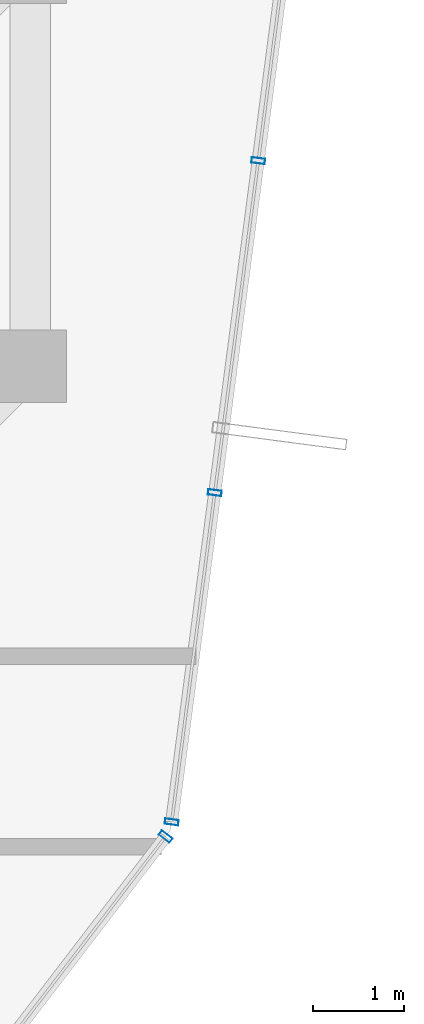
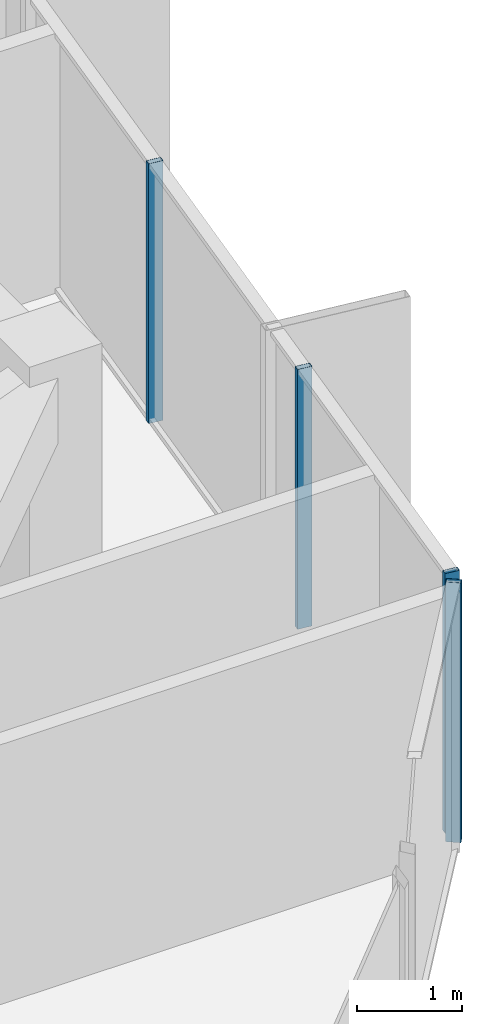
# One storey, part 20 of 31: 4 members, 2 elements without a shape of their own.
"""IFC4 building model written with IfcOpenShell, lengths in metres."""

from ifc_helpers import new_model, si_unit, direction, frame, origin, origin_2d, place, context, subcontext, project, spatial, hollow_rectangle, extrude, source, transform, mapped, material, layer, layer_set, material_profile, profile_set, type_object, element, aggregate, save


model = new_model("IFC4")

# Units and contexts
model_context = context("Model", 3, precision=1e-05, world=origin(), true_north=direction((0.0, 1.0)))
body_context = subcontext(model_context, "Body", "Model", "MODEL_VIEW")
ifc_project = project(units=[si_unit("LENGTHUNIT", "METRE"), si_unit("AREAUNIT", "SQUARE_METRE"), si_unit("VOLUMEUNIT", "CUBIC_METRE"), si_unit("PLANEANGLEUNIT", "RADIAN"), si_unit("MASSUNIT", "GRAM", prefix="KILO")], contexts=[model_context])

# Site, building, storey
site_placement = place(None, origin())
site = spatial("IfcSite", under=ifc_project, at=site_placement, CompositionType="ELEMENT")
building_placement = place(site_placement, origin())
building = spatial("IfcBuilding", under=site, at=building_placement, Name="Veraguas Prism Commons", CompositionType="ELEMENT")
storey_placement = place(building_placement, frame((0.0, 0.0, 233.300048828125)))
storey = spatial("IfcBuildingStorey", under=building, at=storey_placement, Name="L66", CompositionType="ELEMENT", Elevation=233.300048828125)

# Curtain wall, members
ifc_material = material(Name="Anodised aluminium EN AW-6063 T6", Category="aluminium")
ifc_layer = layer(ifc_material, 0.14990234375, Name="Unitised Flush Curtain Wall Zone 4", Category="aluminium")
ifc_layer_set = layer_set([ifc_layer], Name="Anodised aluminium EN AW-6063 T6")
curtain_wall_type = type_object("IfcCurtainWallType", Name="Unitised Flush Curtain Wall Zone 4", PredefinedType="NOTDEFINED", material=ifc_layer_set)
curtain_wall_1_placement = place(storey_placement, origin())
curtain_wall_1 = element("IfcCurtainWall", 1, at=curtain_wall_1_placement, inside=storey, type_object=curtain_wall_type, Name="Tower Facade Curtain Wall L66-F6", PredefinedType="NOTDEFINED")
ifc_material_profile = material_profile(ifc_material, hollow_rectangle(XDim=0.06005859375, YDim=0.14990234375, WallThickness=0.0029296875, at=origin_2d()), Name="AL60X150X3")
ifc_profile_set = profile_set([ifc_material_profile], Name="Anodised aluminium EN AW-6063 T6")
member_type = type_object("IfcMemberType", Name="Curtain Wall Mullion Upper AL 60x150x3", PredefinedType="MULLION", material=ifc_profile_set)
shared_shape = source(origin(), body_context, "Body", "SweptSolid", [
    extrude(hollow_rectangle(XDim=0.06005859375, YDim=0.14990234375, WallThickness=0.0029296875, at=origin_2d()), origin(), (0.0, 0.0, 1.0), 3.014892578125),
])
member_1_placement = place(storey_placement, frame((39.360595703125, 14.57275390625, 0.0), z_axis=(0.0, 0.0, 1.0), x_axis=(0.129835731937, 0.991535517625, 0.0)))
member_1 = element("IfcMember", 2, at=member_1_placement, type_object=member_type, Name="CW-Z4 Mullion 1", PredefinedType="MULLION", context=body_context, shape_type="MappedRepresentation", body=[
    mapped(shared_shape, transform((0.0, 0.0, 0.0), scale=1.0)),
])
member_2_placement = place(storey_placement, frame((39.8359375, 18.203369140625, 0.0), z_axis=(0.0, 0.0, 1.0), x_axis=(0.129835731937, 0.991535517625, 0.0)))
member_2 = element("IfcMember", 3, at=member_2_placement, type_object=member_type, Name="CW-Z4 Mullion 2", PredefinedType="MULLION", context=body_context, shape_type="MappedRepresentation", body=[
    mapped(shared_shape, transform((0.0, 0.0, 0.0), scale=1.0)),
])
member_3_placement = place(storey_placement, frame((40.315185546875, 21.86376953125, 0.0), z_axis=(0.0, 0.0, 1.0), x_axis=(0.129835731937, 0.991535517625, 0.0)))
member_3 = element("IfcMember", 4, at=member_3_placement, type_object=member_type, Name="CW-Z4 Mullion 3", PredefinedType="MULLION", context=body_context, shape_type="MappedRepresentation", body=[
    mapped(shared_shape, transform((0.0, 0.0, 0.0), scale=1.0)),
])
aggregate(curtain_wall_1, [member_1, member_2, member_3])

# Curtain wall, member
curtain_wall_2_placement = place(storey_placement, origin())
curtain_wall_2 = element("IfcCurtainWall", 5, at=curtain_wall_2_placement, inside=storey, type_object=curtain_wall_type, Name="Chamfer Curtain Wall L66-C6", PredefinedType="NOTDEFINED")
member_4_placement = place(storey_placement, frame((39.2939453125, 14.412109375, 0.0), z_axis=(0.0, 0.0, 1.0), x_axis=(0.608181092571, 0.793798311058, 0.0)))
member_4 = element("IfcMember", 6, at=member_4_placement, type_object=member_type, Name="CW-Z4 Mullion 2", PredefinedType="MULLION", context=body_context, shape_type="MappedRepresentation", body=[
    mapped(shared_shape, transform((0.0, 0.0, 0.0), scale=1.0)),
])
aggregate(curtain_wall_2, [member_4])

save(model, "model.ifc")
